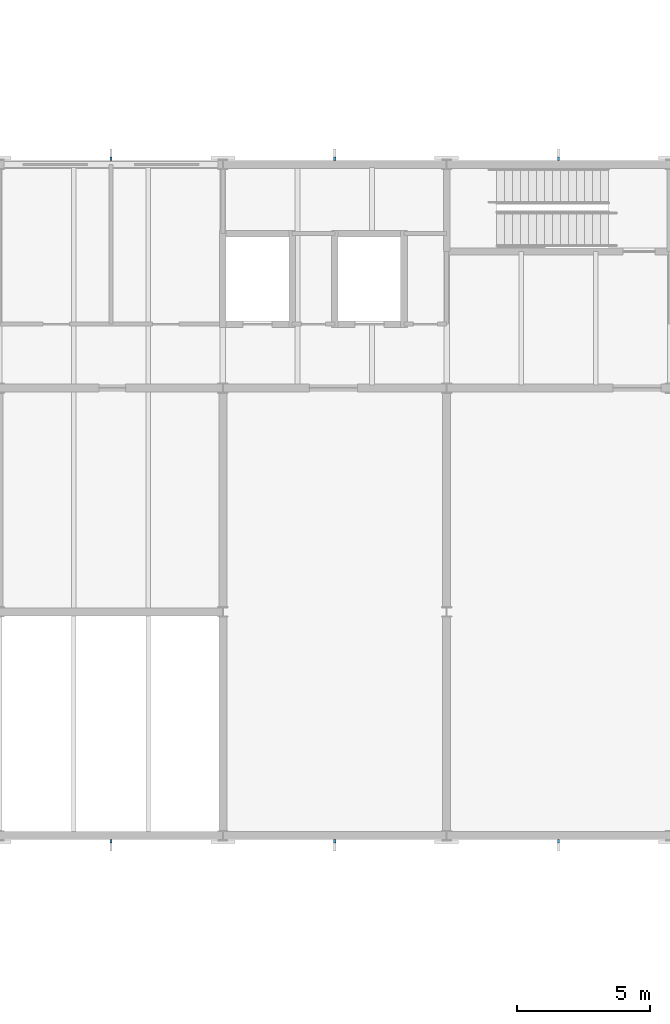
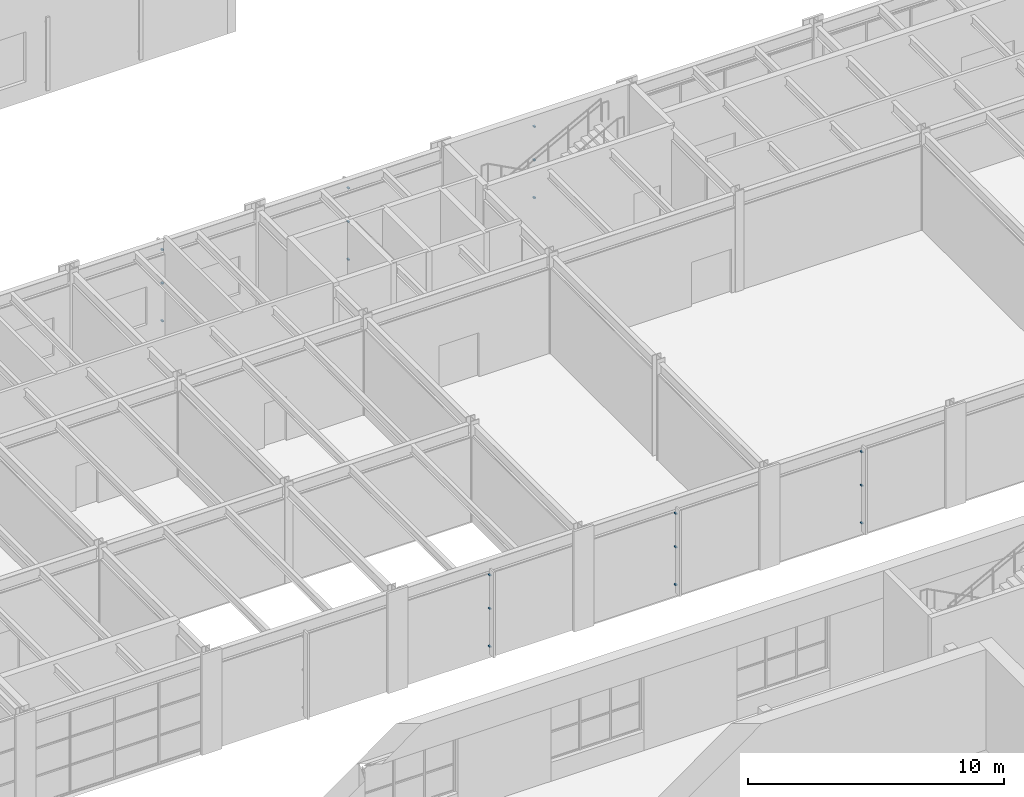
# One storey, part 104 of 127: 18 discrete accessories.
"""IFC4 building model written with IfcOpenShell, lengths in metres."""

import ifcopenshell
import ifcopenshell.guid

model = None  # the IFC model being written
_history = None  # IfcOwnerHistory: only IFC2X3 demands one
_inside = {}  # id of a spatial element -> (the spatial element, [elements in it])
_under = {}  # id of a project, library or spatial element -> (it, [spatial elements below it])
_declared = {}  # id of a project -> (the project, [libraries it declares])
_typed = {}  # id of a type object -> (the type object, [elements of that type])
_made_of = {}  # id of a material, layer set ... -> (it, [elements and type objects made of it])


def new_model(schema):
    """Start an empty IFC model of exactly this schema.

    Asked for "IFC4X3", IfcOpenShell would pick the latest addendum, in which some entities
    have other attributes; the version numbers below select the first issue.
    IFC2X3 requires an IfcOwnerHistory on every rooted entity: one is made here for all.
    """
    global model, _history
    if schema == "IFC4X3":
        model = ifcopenshell.file(schema_version=(4, 3, 0, 0))
    else:
        model = ifcopenshell.file(schema=schema)
    _inside.clear()
    _under.clear()
    _declared.clear()
    _typed.clear()
    _made_of.clear()
    _history = None
    if model.schema == "IFC2X3":
        org = make("IfcOrganization", Name="unknown")
        user = make(
            "IfcPersonAndOrganization",
            ThePerson=make("IfcPerson", FamilyName="unknown"),
            TheOrganization=org,
        )
        app = make(
            "IfcApplication",
            ApplicationDeveloper=org,
            Version="unknown",
            ApplicationFullName="unknown",
            ApplicationIdentifier="unknown",
        )
        _history = make(
            "IfcOwnerHistory",
            OwningUser=user,
            OwningApplication=app,
            ChangeAction="ADDED",
            CreationDate=0,
        )
    return model


def make(cls, **values):
    """One entity of the class cls with the attributes given. An attribute that is None is left unset."""
    return model.create_entity(
        cls, **{name: value for name, value in values.items() if value is not None}
    )


def rooted(cls, **values):
    """An entity with a GlobalId (a new one), such as an element, a storey or a relation."""
    return make(cls, GlobalId=ifcopenshell.guid.new(), OwnerHistory=_history, **values)


def si_unit(unit_type, name, prefix=None):
    """IfcSIUnit, for example si_unit("LENGTHUNIT", "METRE", prefix="MILLI")."""
    return make("IfcSIUnit", UnitType=unit_type, Prefix=prefix, Name=name)


def assignment(units):
    """IfcUnitAssignment: the units of a project."""
    return None if units is None else make("IfcUnitAssignment", Units=units)


def point(xyz):
    """IfcCartesianPoint."""
    return None if xyz is None else make("IfcCartesianPoint", Coordinates=xyz)


def direction(xyz):
    """IfcDirection."""
    return None if xyz is None else make("IfcDirection", DirectionRatios=xyz)


def frame(location, z_axis=None, x_axis=None):
    """IfcAxis2Placement3D, a coordinate frame: its origin and axes. An axis left out is left unset."""
    return make(
        "IfcAxis2Placement3D",
        Location=point(location),
        Axis=direction(z_axis),
        RefDirection=direction(x_axis),
    )


def frame_2d(location, x_axis=None):
    """IfcAxis2Placement2D, a coordinate frame in the plane: its origin and x axis."""
    return make(
        "IfcAxis2Placement2D", Location=point(location), RefDirection=direction(x_axis)
    )


def origin():
    """The frame at (0, 0, 0) with its axes left unset."""
    return frame((0.0, 0.0, 0.0))


def origin_2d():
    """The frame at (0, 0) in the plane with its x axis left unset."""
    return frame_2d((0.0, 0.0))


def place(relative_to, where):
    """IfcLocalPlacement: puts the frame where relative to a parent placement (None: the world)."""
    return make(
        "IfcLocalPlacement", PlacementRelTo=relative_to, RelativePlacement=where
    )


def context(
    kind, dimensions, precision=None, world=None, true_north=None, identifier=None
):
    """IfcGeometricRepresentationContext, for example the 3D "Model" context."""
    return make(
        "IfcGeometricRepresentationContext",
        ContextIdentifier=identifier,
        ContextType=kind,
        CoordinateSpaceDimension=dimensions,
        Precision=precision,
        WorldCoordinateSystem=world,
        TrueNorth=true_north,
    )


def subcontext(parent, identifier, kind, view, scale=None):
    """IfcGeometricRepresentationSubContext, for example "Body" below "Model"."""
    return make(
        "IfcGeometricRepresentationSubContext",
        ContextIdentifier=identifier,
        ContextType=kind,
        ParentContext=parent,
        TargetScale=scale,
        TargetView=view,
    )


def project(units=None, contexts=None):
    """IfcProject with its units and contexts."""
    return rooted(
        "IfcProject",
        Name="project",
        RepresentationContexts=contexts,
        UnitsInContext=assignment(units),
    )


def spatial(cls, under=None, at=None, **own):
    """A site, building, storey or space (cls), placed at a placement, below another one or the project."""
    s = rooted(cls, ObjectPlacement=at, **own)
    if under is not None:
        _under.setdefault(under.id(), (under, []))[1].append(s)
    return s


def profile(cls, at=None, kind="AREA", **sizes):
    """A parametric profile (cls). Its sizes go by their IFC names, for example OverallWidth=200.0."""
    return make(cls, ProfileType=kind, Position=at, **sizes)


def rectangle(**sizes):
    """IfcRectangleProfileDef."""
    return profile("IfcRectangleProfileDef", **sizes)


def extrude(swept, where, along, depth):
    """IfcExtrudedAreaSolid: the profile swept, set in the frame where, extruded along a direction by depth."""
    return make(
        "IfcExtrudedAreaSolid",
        SweptArea=swept,
        Position=where,
        ExtrudedDirection=direction(along),
        Depth=depth,
    )


def shape(context_of_items, identifier, shape_type, items):
    """IfcShapeRepresentation: the items that make up one representation, for example the "Body"."""
    return make(
        "IfcShapeRepresentation",
        ContextOfItems=context_of_items,
        RepresentationIdentifier=identifier,
        RepresentationType=shape_type,
        Items=items,
    )


def material(Name=None, Category=None):
    """IfcMaterial."""
    return make("IfcMaterial", Name=Name, Category=Category)


def made_of(thing, what):
    """Note that an element or type object is made of a material, layer set ...; save() writes the relation."""
    if what is not None:
        _made_of.setdefault(what.id(), (what, []))[1].append(thing)
    return thing


def type_object(cls, material=None, **own):
    """A type object (cls), such as IfcWallType, which elements share."""
    return made_of(rooted(cls, **own), material)


def element(
    cls,
    number,
    at=None,
    inside=None,
    cuts=None,
    type_object=None,
    material=None,
    context=None,
    identifier="Body",
    shape_type=None,
    held_by="IfcProductDefinitionShape",
    body=None,
    shapes=None,
    **own,
):
    """One element of the class cls, such as IfcWall. Its Tag is "e" and its number.

    at: its placement. inside: the storey or other place that contains it. cuts: it is an
    opening in that element (IfcRelVoidsElement). A single representation is given by context,
    identifier, shape_type and body (its items); several are given by shapes. held_by: the class
    of the entity that holds the representations. save() writes the other relations.
    """
    e = rooted(cls, Tag="e%d" % number, ObjectPlacement=at, **own)
    if body is not None:
        shapes = [shape(context, identifier, shape_type, body)]
    if shapes is not None:
        e.Representation = make(held_by, Representations=shapes)
    if inside is not None:
        _inside.setdefault(inside.id(), (inside, []))[1].append(e)
    if cuts is not None:
        rooted(
            "IfcRelVoidsElement", RelatingBuildingElement=cuts, RelatedOpeningElement=e
        )
    if type_object is not None:
        _typed.setdefault(type_object.id(), (type_object, []))[1].append(e)
    return made_of(e, material)


def aggregate(whole, parts):
    """IfcRelAggregates: a whole, such as a stair, and the parts it consists of."""
    return rooted("IfcRelAggregates", RelatingObject=whole, RelatedObjects=parts)


def save(model, path):
    """Write the relations noted so far, then the file.

    IfcRelAggregates (storeys below a building ...), IfcRelContainedInSpatialStructure (elements
    in a storey), IfcRelDefinesByType, IfcRelAssociatesMaterial and IfcRelDeclares: one each for
    every whole, place, type object, material and project.
    """
    for whole, parts in _under.values():
        aggregate(whole, parts)
    for where, things in _inside.values():
        rooted(
            "IfcRelContainedInSpatialStructure",
            RelatedElements=things,
            RelatingStructure=where,
        )
    for kind, things in _typed.values():
        rooted("IfcRelDefinesByType", RelatedObjects=things, RelatingType=kind)
    for what, things in _made_of.values():
        rooted("IfcRelAssociatesMaterial", RelatedObjects=things, RelatingMaterial=what)
    for by, libraries in _declared.values():
        rooted("IfcRelDeclares", RelatingContext=by, RelatedDefinitions=libraries)
    model.write(path)


model = new_model("IFC4")

# Units and contexts
model_context = context("Model", 3, precision=1e-05, world=origin(), true_north=direction((0.0, 1.0)))
body_context = subcontext(model_context, "Body", "Model", "MODEL_VIEW")
ifc_project = project(units=[si_unit("LENGTHUNIT", "METRE"), si_unit("AREAUNIT", "SQUARE_METRE"), si_unit("VOLUMEUNIT", "CUBIC_METRE"), si_unit("PLANEANGLEUNIT", "RADIAN"), si_unit("MASSUNIT", "GRAM", prefix="KILO")], contexts=[model_context])

# Site, building, storey
site_placement = place(None, origin())
site = spatial("IfcSite", under=ifc_project, at=site_placement, CompositionType="ELEMENT")
building_placement = place(site_placement, origin())
building = spatial("IfcBuilding", under=site, at=building_placement, Name="Ljudholm Concert House", CompositionType="ELEMENT")
storey_placement = place(building_placement, frame((0.0, 0.0, 5.39990234375)))
storey = spatial("IfcBuildingStorey", under=building, at=storey_placement, Name="L01", CompositionType="ELEMENT", Elevation=5.39990234375)

# Discrete accessories
ifc_material = material(Name="Stainless steel bracket", Category="steel")
discrete_accessory_type = type_object("IfcDiscreteAccessoryType", Name="BRACKET 120", PredefinedType="BRACKET", material=ifc_material)
for number, where, z_axis, x_axis, name in (
    (1, (75.39990234375, 130.2099609375, 0.570068359375), (0.0, 0.0, 1.0), (0.0, 1.0, 0.0), "Fin bracket"),
    (2, (75.39990234375, 130.2099609375, 2.3701171875), (0.0, 0.0, 1.0), (0.0, 1.0, 0.0), "Fin bracket"),
    (3, (75.39990234375, 130.2099609375, 3.969970703125), (0.0, 0.0, 1.0), (0.0, 1.0, 0.0), "Fin bracket"),
    (4, (83.800048828125, 130.2099609375, 0.570068359375), (0.0, 0.0, 1.0), (0.0, 1.0, 0.0), "Fin bracket"),
    (5, (83.800048828125, 130.2099609375, 2.3701171875), (0.0, 0.0, 1.0), (0.0, 1.0, 0.0), "Fin bracket"),
    (6, (83.800048828125, 130.2099609375, 3.969970703125), (0.0, 0.0, 1.0), (0.0, 1.0, 0.0), "Fin bracket"),
    (7, (92.199951171875, 130.2099609375, 0.570068359375), (0.0, 0.0, 1.0), (0.0, 1.0, 0.0), "Fin bracket"),
    (8, (92.199951171875, 130.2099609375, 2.3701171875), (0.0, 0.0, 1.0), (0.0, 1.0, 0.0), "Fin bracket"),
    (9, (92.199951171875, 130.2099609375, 3.969970703125), (0.0, 0.0, 1.0), (0.0, 1.0, 0.0), "Fin bracket"),
    (10, (75.39990234375, 104.590087890625, 0.570068359375), (0.0, 0.0, 1.0), (0.0, -1.0, 0.0), "Fin bracket"),
    (11, (75.39990234375, 104.590087890625, 2.3701171875), (0.0, 0.0, 1.0), (0.0, -1.0, 0.0), "Fin bracket"),
    (12, (75.39990234375, 104.590087890625, 3.969970703125), (0.0, 0.0, 1.0), (0.0, -1.0, 0.0), "Fin bracket"),
    (13, (83.800048828125, 104.590087890625, 0.570068359375), (0.0, 0.0, 1.0), (0.0, -1.0, 0.0), "Fin bracket"),
    (14, (83.800048828125, 104.590087890625, 2.3701171875), (0.0, 0.0, 1.0), (0.0, -1.0, 0.0), "Fin bracket"),
    (15, (83.800048828125, 104.590087890625, 3.969970703125), (0.0, 0.0, 1.0), (0.0, -1.0, 0.0), "Fin bracket"),
    (16, (92.199951171875, 104.590087890625, 0.570068359375), (0.0, 0.0, 1.0), (0.0, -1.0, 0.0), "Fin bracket"),
    (17, (92.199951171875, 104.590087890625, 2.3701171875), (0.0, 0.0, 1.0), (0.0, -1.0, 0.0), "Fin bracket"),
    (18, (92.199951171875, 104.590087890625, 3.969970703125), (0.0, 0.0, 1.0), (0.0, -1.0, 0.0), "Fin bracket"),
):
    element("IfcDiscreteAccessory", number, at=place(storey_placement, frame(where, z_axis=z_axis, x_axis=x_axis)), inside=storey, type_object=discrete_accessory_type, Name=name, PredefinedType="BRACKET", context=body_context, shape_type="SweptSolid", body=[
        extrude(rectangle(XDim=0.1201171875, YDim=0.080078125, at=origin_2d()), origin(), (0.0, 0.0, 1.0), 0.06005859375),
    ])

save(model, "model.ifc")
